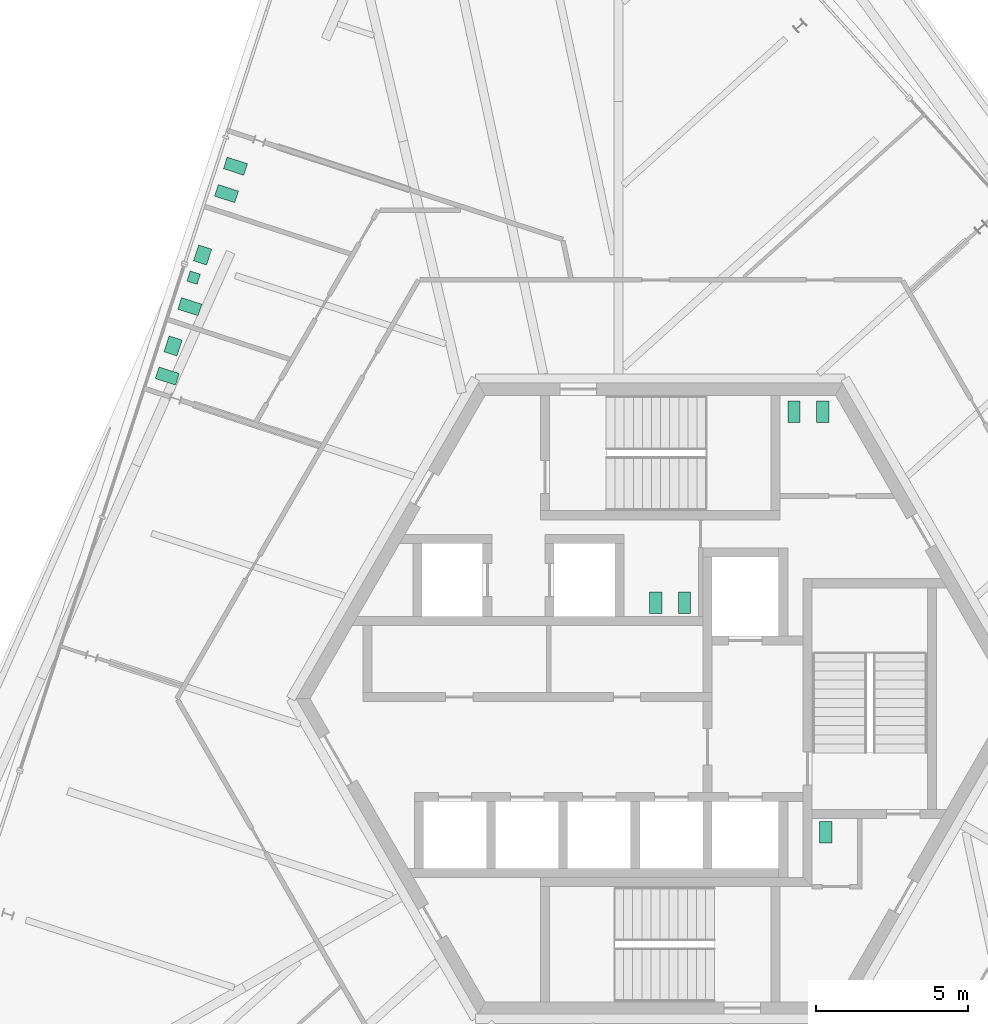
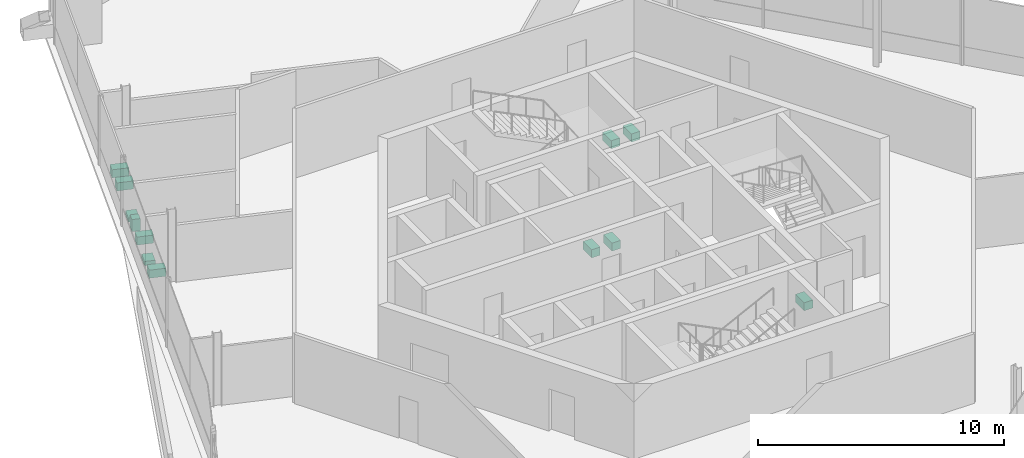
# One storey, part 20 of 20: 12 sanitary terminals.
"""IFC4 building model written with IfcOpenShell, lengths in metres."""

import ifcopenshell
import ifcopenshell.guid

model = None  # the IFC model being written
_history = None  # IfcOwnerHistory: only IFC2X3 demands one
_inside = {}  # id of a spatial element -> (the spatial element, [elements in it])
_under = {}  # id of a project, library or spatial element -> (it, [spatial elements below it])
_declared = {}  # id of a project -> (the project, [libraries it declares])
_typed = {}  # id of a type object -> (the type object, [elements of that type])
_made_of = {}  # id of a material, layer set ... -> (it, [elements and type objects made of it])


def new_model(schema):
    """Start an empty IFC model of exactly this schema.

    Asked for "IFC4X3", IfcOpenShell would pick the latest addendum, in which some entities
    have other attributes; the version numbers below select the first issue.
    IFC2X3 requires an IfcOwnerHistory on every rooted entity: one is made here for all.
    """
    global model, _history
    if schema == "IFC4X3":
        model = ifcopenshell.file(schema_version=(4, 3, 0, 0))
    else:
        model = ifcopenshell.file(schema=schema)
    _inside.clear()
    _under.clear()
    _declared.clear()
    _typed.clear()
    _made_of.clear()
    _history = None
    if model.schema == "IFC2X3":
        org = make("IfcOrganization", Name="unknown")
        user = make(
            "IfcPersonAndOrganization",
            ThePerson=make("IfcPerson", FamilyName="unknown"),
            TheOrganization=org,
        )
        app = make(
            "IfcApplication",
            ApplicationDeveloper=org,
            Version="unknown",
            ApplicationFullName="unknown",
            ApplicationIdentifier="unknown",
        )
        _history = make(
            "IfcOwnerHistory",
            OwningUser=user,
            OwningApplication=app,
            ChangeAction="ADDED",
            CreationDate=0,
        )
    return model


def make(cls, **values):
    """One entity of the class cls with the attributes given. An attribute that is None is left unset."""
    return model.create_entity(
        cls, **{name: value for name, value in values.items() if value is not None}
    )


def rooted(cls, **values):
    """An entity with a GlobalId (a new one), such as an element, a storey or a relation."""
    return make(cls, GlobalId=ifcopenshell.guid.new(), OwnerHistory=_history, **values)


def si_unit(unit_type, name, prefix=None):
    """IfcSIUnit, for example si_unit("LENGTHUNIT", "METRE", prefix="MILLI")."""
    return make("IfcSIUnit", UnitType=unit_type, Prefix=prefix, Name=name)


def assignment(units):
    """IfcUnitAssignment: the units of a project."""
    return None if units is None else make("IfcUnitAssignment", Units=units)


def point(xyz):
    """IfcCartesianPoint."""
    return None if xyz is None else make("IfcCartesianPoint", Coordinates=xyz)


def direction(xyz):
    """IfcDirection."""
    return None if xyz is None else make("IfcDirection", DirectionRatios=xyz)


def frame(location, z_axis=None, x_axis=None):
    """IfcAxis2Placement3D, a coordinate frame: its origin and axes. An axis left out is left unset."""
    return make(
        "IfcAxis2Placement3D",
        Location=point(location),
        Axis=direction(z_axis),
        RefDirection=direction(x_axis),
    )


def frame_2d(location, x_axis=None):
    """IfcAxis2Placement2D, a coordinate frame in the plane: its origin and x axis."""
    return make(
        "IfcAxis2Placement2D", Location=point(location), RefDirection=direction(x_axis)
    )


def origin():
    """The frame at (0, 0, 0) with its axes left unset."""
    return frame((0.0, 0.0, 0.0))


def origin_2d():
    """The frame at (0, 0) in the plane with its x axis left unset."""
    return frame_2d((0.0, 0.0))


def place(relative_to, where):
    """IfcLocalPlacement: puts the frame where relative to a parent placement (None: the world)."""
    return make(
        "IfcLocalPlacement", PlacementRelTo=relative_to, RelativePlacement=where
    )


def context(
    kind, dimensions, precision=None, world=None, true_north=None, identifier=None
):
    """IfcGeometricRepresentationContext, for example the 3D "Model" context."""
    return make(
        "IfcGeometricRepresentationContext",
        ContextIdentifier=identifier,
        ContextType=kind,
        CoordinateSpaceDimension=dimensions,
        Precision=precision,
        WorldCoordinateSystem=world,
        TrueNorth=true_north,
    )


def subcontext(parent, identifier, kind, view, scale=None):
    """IfcGeometricRepresentationSubContext, for example "Body" below "Model"."""
    return make(
        "IfcGeometricRepresentationSubContext",
        ContextIdentifier=identifier,
        ContextType=kind,
        ParentContext=parent,
        TargetScale=scale,
        TargetView=view,
    )


def project(units=None, contexts=None):
    """IfcProject with its units and contexts."""
    return rooted(
        "IfcProject",
        Name="project",
        RepresentationContexts=contexts,
        UnitsInContext=assignment(units),
    )


def spatial(cls, under=None, at=None, **own):
    """A site, building, storey or space (cls), placed at a placement, below another one or the project."""
    s = rooted(cls, ObjectPlacement=at, **own)
    if under is not None:
        _under.setdefault(under.id(), (under, []))[1].append(s)
    return s


def profile(cls, at=None, kind="AREA", **sizes):
    """A parametric profile (cls). Its sizes go by their IFC names, for example OverallWidth=200.0."""
    return make(cls, ProfileType=kind, Position=at, **sizes)


def rectangle(**sizes):
    """IfcRectangleProfileDef."""
    return profile("IfcRectangleProfileDef", **sizes)


def extrude(swept, where, along, depth):
    """IfcExtrudedAreaSolid: the profile swept, set in the frame where, extruded along a direction by depth."""
    return make(
        "IfcExtrudedAreaSolid",
        SweptArea=swept,
        Position=where,
        ExtrudedDirection=direction(along),
        Depth=depth,
    )


def shape(context_of_items, identifier, shape_type, items):
    """IfcShapeRepresentation: the items that make up one representation, for example the "Body"."""
    return make(
        "IfcShapeRepresentation",
        ContextOfItems=context_of_items,
        RepresentationIdentifier=identifier,
        RepresentationType=shape_type,
        Items=items,
    )


def source(mapping_origin, context_of_items, identifier, shape_type, items):
    """IfcRepresentationMap: a shape defined once, which mapped items show again and again."""
    return make(
        "IfcRepresentationMap",
        MappingOrigin=mapping_origin,
        MappedRepresentation=shape(context_of_items, identifier, shape_type, items),
    )


def transform(
    local_origin,
    x_axis=None,
    y_axis=None,
    z_axis=None,
    scale=None,
    scale2=None,
    scale3=None,
    uniform=True,
):
    """IfcCartesianTransformationOperator3D, or its non-uniform kind. x_axis, y_axis, z_axis: its Axis1, 2, 3."""
    if uniform:
        return make(
            "IfcCartesianTransformationOperator3D",
            Axis1=direction(x_axis),
            Axis2=direction(y_axis),
            LocalOrigin=point(local_origin),
            Scale=scale,
            Axis3=direction(z_axis),
        )
    return make(
        "IfcCartesianTransformationOperator3DnonUniform",
        Axis1=direction(x_axis),
        Axis2=direction(y_axis),
        LocalOrigin=point(local_origin),
        Scale=scale,
        Axis3=direction(z_axis),
        Scale2=scale2,
        Scale3=scale3,
    )


def mapped(mapping_source, mapping_target):
    """IfcMappedItem: shows the shape of a source again, moved by a transform."""
    return make(
        "IfcMappedItem", MappingSource=mapping_source, MappingTarget=mapping_target
    )


def material(Name=None, Category=None):
    """IfcMaterial."""
    return make("IfcMaterial", Name=Name, Category=Category)


def made_of(thing, what):
    """Note that an element or type object is made of a material, layer set ...; save() writes the relation."""
    if what is not None:
        _made_of.setdefault(what.id(), (what, []))[1].append(thing)
    return thing


def element(
    cls,
    number,
    at=None,
    inside=None,
    cuts=None,
    type_object=None,
    material=None,
    context=None,
    identifier="Body",
    shape_type=None,
    held_by="IfcProductDefinitionShape",
    body=None,
    shapes=None,
    **own,
):
    """One element of the class cls, such as IfcWall. Its Tag is "e" and its number.

    at: its placement. inside: the storey or other place that contains it. cuts: it is an
    opening in that element (IfcRelVoidsElement). A single representation is given by context,
    identifier, shape_type and body (its items); several are given by shapes. held_by: the class
    of the entity that holds the representations. save() writes the other relations.
    """
    e = rooted(cls, Tag="e%d" % number, ObjectPlacement=at, **own)
    if body is not None:
        shapes = [shape(context, identifier, shape_type, body)]
    if shapes is not None:
        e.Representation = make(held_by, Representations=shapes)
    if inside is not None:
        _inside.setdefault(inside.id(), (inside, []))[1].append(e)
    if cuts is not None:
        rooted(
            "IfcRelVoidsElement", RelatingBuildingElement=cuts, RelatedOpeningElement=e
        )
    if type_object is not None:
        _typed.setdefault(type_object.id(), (type_object, []))[1].append(e)
    return made_of(e, material)


def aggregate(whole, parts):
    """IfcRelAggregates: a whole, such as a stair, and the parts it consists of."""
    return rooted("IfcRelAggregates", RelatingObject=whole, RelatedObjects=parts)


def save(model, path):
    """Write the relations noted so far, then the file.

    IfcRelAggregates (storeys below a building ...), IfcRelContainedInSpatialStructure (elements
    in a storey), IfcRelDefinesByType, IfcRelAssociatesMaterial and IfcRelDeclares: one each for
    every whole, place, type object, material and project.
    """
    for whole, parts in _under.values():
        aggregate(whole, parts)
    for where, things in _inside.values():
        rooted(
            "IfcRelContainedInSpatialStructure",
            RelatedElements=things,
            RelatingStructure=where,
        )
    for kind, things in _typed.values():
        rooted("IfcRelDefinesByType", RelatedObjects=things, RelatingType=kind)
    for what, things in _made_of.values():
        rooted("IfcRelAssociatesMaterial", RelatedObjects=things, RelatingMaterial=what)
    for by, libraries in _declared.values():
        rooted("IfcRelDeclares", RelatingContext=by, RelatedDefinitions=libraries)
    model.write(path)


model = new_model("IFC4")

# Units and contexts
model_context = context("Model", 3, precision=1e-05, world=origin(), true_north=direction((0.0, 1.0)))
body_context = subcontext(model_context, "Body", "Model", "MODEL_VIEW")
ifc_project = project(units=[si_unit("LENGTHUNIT", "METRE"), si_unit("AREAUNIT", "SQUARE_METRE"), si_unit("VOLUMEUNIT", "CUBIC_METRE"), si_unit("PLANEANGLEUNIT", "RADIAN"), si_unit("MASSUNIT", "GRAM", prefix="KILO")], contexts=[model_context])

# Site, building, storey
site_placement = place(None, origin())
site = spatial("IfcSite", under=ifc_project, at=site_placement, CompositionType="ELEMENT")
building_placement = place(site_placement, origin())
building = spatial("IfcBuilding", under=site, at=building_placement, Name="Triune Harvest Tower", CompositionType="ELEMENT")
storey_placement = place(building_placement, frame((0.0, 0.0, 259.5)))
storey = spatial("IfcBuildingStorey", under=building, at=storey_placement, Name="L68", CompositionType="ELEMENT", Elevation=259.5)

# Sanitary terminals
ifc_material = material(Name="Vitreous china")
shared_shape_1 = source(origin(), body_context, "Body", "SweptSolid", [
    extrude(rectangle(XDim=0.39990234375, YDim=0.699951171875, at=origin_2d()), origin(), (0.0, 0.0, 1.0), 0.39990234375),
])
for number, where, z_axis, x_axis, name in (
    (1, (4.39990234375, 9.449951171875, 0.0), (0.0, 0.0, 1.0), (1.0, 0.0, 0.0), "Toilet pan L68.c01"),
    (2, (5.35009765625, 9.449951171875, 0.0), (0.0, 0.0, 1.0), (1.0, 0.0, 0.0), "Toilet pan L68.c02"),
    (3, (0.800048828125, 3.159912109375, 0.0), (0.0, 0.0, 1.0), (-1.0, 0.0, 0.0), "Toilet pan L68.c03"),
    (4, (-0.14990234375, 3.159912109375, 0.0), (0.0, 0.0, 1.0), (-1.0, 0.0, 0.0), "Toilet pan L68.c04"),
    (5, (5.449951171875, -4.39990234375, 0.0), (0.0, 0.0, 1.0), (1.0, 0.0, 0.0), "Toilet pan L68.c05"),
    (6, (-14.28857421875, 16.635498046875, 0.0), (0.0, 0.0, 1.0), (0.308983796052, 0.951067302444, 0.0), "Toilet pan 01"),
    (7, (-13.9951171875, 17.5390625, 0.0), (0.0, 0.0, 1.0), (0.308983796052, 0.951067302444, 0.0), "Toilet pan 02"),
    (8, (-15.4990234375, 12.910400390625, 0.0), (0.0, 0.0, 1.0), (0.30900039526, 0.951061909514, 0.0), "Toilet pan 03"),
    (9, (-16.240478515625, 10.627685546875, 0.0), (0.0, 0.0, 1.0), (0.308983796052, 0.951067302444, 0.0), "Toilet pan 06"),
):
    element("IfcSanitaryTerminal", number, at=place(storey_placement, frame(where, z_axis=z_axis, x_axis=x_axis)), inside=storey, material=ifc_material, Name=name, PredefinedType="TOILETPAN", context=body_context, shape_type="MappedRepresentation", body=[
        mapped(shared_shape_1, transform((0.0, 0.0, 0.0), scale=1.0)),
    ])
shared_shape_2 = source(origin(), body_context, "Body", "SweptSolid", [
    extrude(rectangle(XDim=0.35009765625, YDim=0.35009765625, at=origin_2d()), origin(), (0.0, 0.0, 1.0), 0.60009765625),
])
sanitary_terminal_placement = place(storey_placement, frame((-15.371826171875, 13.867919921875, 0.0), z_axis=(0.0, 0.0, 1.0), x_axis=(0.30900039526, 0.951061909514, 0.0)))
element("IfcSanitaryTerminal", 10, at=sanitary_terminal_placement, inside=storey, material=ifc_material, Name="Urinal 04", PredefinedType="URINAL", context=body_context, shape_type="MappedRepresentation", body=[
    mapped(shared_shape_2, transform((0.0, 0.0, 0.0), scale=1.0)),
])
shared_shape_3 = source(origin(), body_context, "Body", "SweptSolid", [
    extrude(rectangle(XDim=0.550048828125, YDim=0.449951171875, at=origin_2d()), origin(), (0.0, 0.0, 1.0), 0.199951171875),
])
for number, where, z_axis, x_axis, name in (
    (11, (-15.0771484375, 14.61328125, 0.0), (0.0, 0.0, 1.0), (0.30900039526, 0.951061909514, 0.0), "Wash basin 05"),
    (12, (-16.050537109375, 11.617431640625, 0.0), (0.0, 0.0, 1.0), (0.308983796052, 0.951067302444, 0.0), "Wash basin 07"),
):
    element("IfcSanitaryTerminal", number, at=place(storey_placement, frame(where, z_axis=z_axis, x_axis=x_axis)), inside=storey, material=ifc_material, Name=name, PredefinedType="WASHHANDBASIN", context=body_context, shape_type="MappedRepresentation", body=[
        mapped(shared_shape_3, transform((0.0, 0.0, 0.0), scale=1.0)),
    ])

save(model, "model.ifc")
